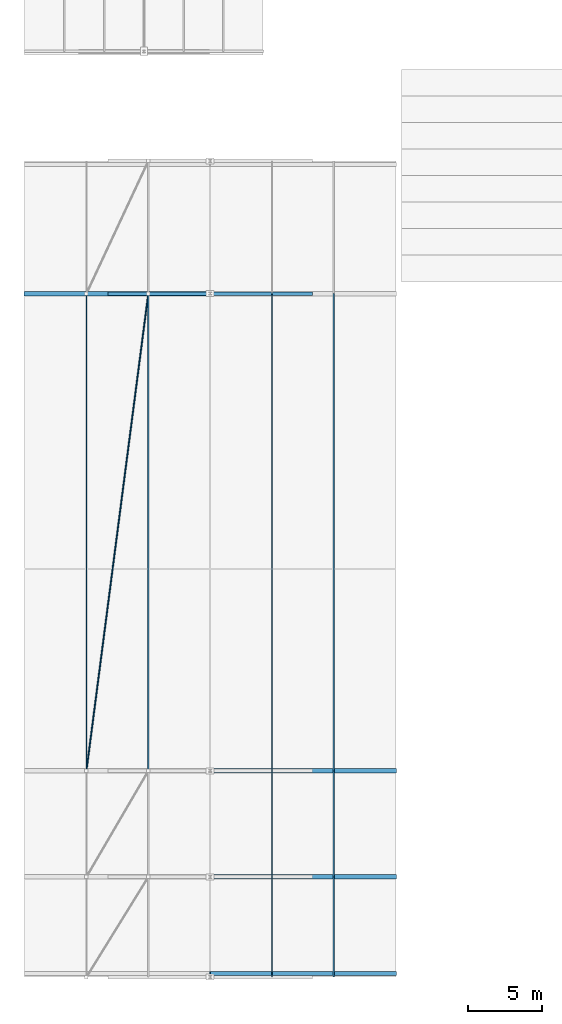
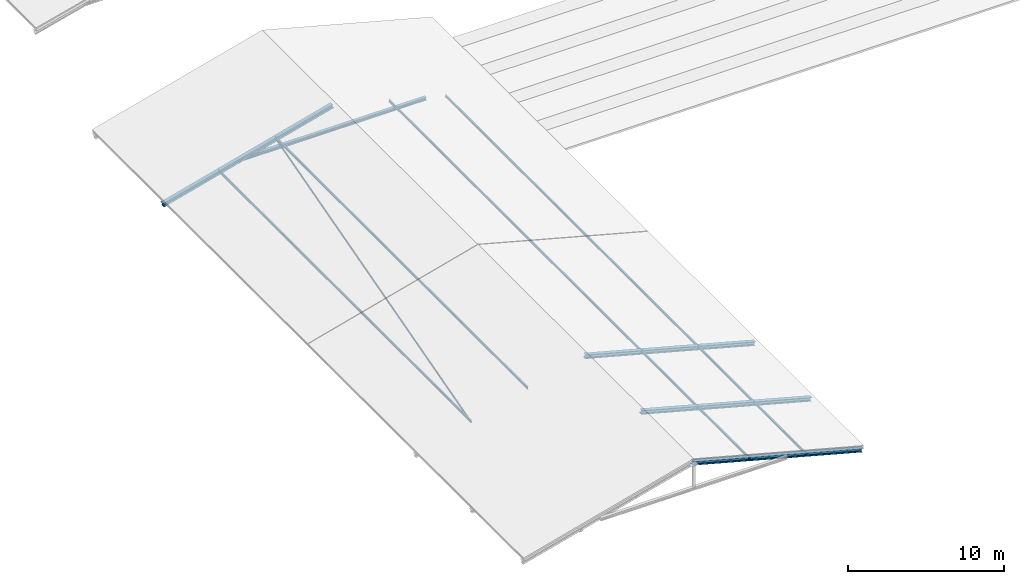
# One storey, part 3 of 31: 14 members.
"""IFC4 building model written with IfcOpenShell, lengths in metres."""

from ifc_helpers import new_model, si_unit, direction, frame, origin, origin_2d, place, context, subcontext, project, spatial, hollow_circle, i_section, extrude, material, material_profile, profile_set, type_object, element, save


model = new_model("IFC4")

# Units and contexts
model_context = context("Model", 3, precision=1e-05, world=origin(), true_north=direction((0.0, 1.0)))
body_context = subcontext(model_context, "Body", "Model", "MODEL_VIEW")
ifc_project = project(units=[si_unit("LENGTHUNIT", "METRE"), si_unit("AREAUNIT", "SQUARE_METRE"), si_unit("VOLUMEUNIT", "CUBIC_METRE"), si_unit("PLANEANGLEUNIT", "RADIAN"), si_unit("MASSUNIT", "GRAM", prefix="KILO")], contexts=[model_context])

# Site, building, storey
site_placement = place(None, origin())
site = spatial("IfcSite", under=ifc_project, at=site_placement, CompositionType="ELEMENT")
building_placement = place(site_placement, origin())
building = spatial("IfcBuilding", under=site, at=building_placement, Name="Clarverna Civic Hall", CompositionType="ELEMENT")
storey_placement = place(building_placement, frame((0.0, 0.0, 31.199951171875)))
storey = spatial("IfcBuildingStorey", under=building, at=storey_placement, Name="RF", CompositionType="ELEMENT", Elevation=31.199951171875)

# Members
ifc_material = material(Name="Steel S355", Category="steel")
ifc_material_profile_1 = material_profile(ifc_material, hollow_circle(Radius=0.05712890625, WallThickness=0.00634765625, at=origin_2d()), Name="CHS 114.3x6.3")
ifc_profile_set_1 = profile_set([ifc_material_profile_1], Name="Steel S355")
member_type_1 = type_object("IfcMemberType", Name="BRR-2", PredefinedType="BRACE", material=ifc_profile_set_1)
member_1_placement = place(storey_placement, frame((4.199951171875, 14.0, -13.564453125), z_axis=(0.128476760932, 0.991114976649, 0.03442128647), x_axis=(-0.991702647799, 0.128552939869, 0.0)))
element("IfcMember", 1, at=member_1_placement, inside=storey, type_object=member_type_1, Name="BRR-2-003", PredefinedType="BRACE", context=body_context, shape_type="SweptSolid", body=[
    extrude(hollow_circle(Radius=0.05712890625, WallThickness=0.00634765625, at=origin_2d()), origin(), (0.0, 0.0, 1.0), 32.6904296875),
])
ifc_material_profile_2 = material_profile(ifc_material, i_section(OverallWidth=0.239990234375, OverallDepth=0.22998046875, WebThickness=0.007568359375, FlangeThickness=0.011962890625, FilletRadius=0.02099609375, at=origin_2d()), Name="HEA 240")
ifc_profile_set_2 = profile_set([ifc_material_profile_2], Name="Steel S355")
member_type_2 = type_object("IfcMemberType", Name="CH-03", PredefinedType="CHORD", material=ifc_profile_set_2)
member_2_placement = place(storey_placement, frame((5.669921875, 46.39990234375, -13.170654296875), z_axis=(1.0, 0.0, 0.0), x_axis=(0.0, 1.0, 0.0)))
element("IfcMember", 2, at=member_2_placement, inside=storey, type_object=member_type_2, Name="CH-03-004", PredefinedType="CHORD", context=body_context, shape_type="SweptSolid", body=[
    extrude(i_section(OverallWidth=0.239990234375, OverallDepth=0.22998046875, WebThickness=0.007568359375, FlangeThickness=0.011962890625, FilletRadius=0.02099609375, at=origin_2d()), origin(), (0.0, 0.0, 1.0), 13.860107421875),
])
ifc_material_profile_3 = material_profile(ifc_material, i_section(OverallWidth=0.091064453125, OverallDepth=0.179931640625, WebThickness=0.00537109375, FlangeThickness=0.008056640625, FilletRadius=0.009033203125, at=origin_2d()), Name="IPE 180")
ifc_profile_set_3 = profile_set([ifc_material_profile_3], Name="Steel S355")
member_type_3 = type_object("IfcMemberType", Name="PU-RF2", PredefinedType="PURLIN", material=ifc_profile_set_3)
for number, where, z_axis, x_axis, name in (
    (3, (4.199951171875, 14.0, -13.504638671875), (0.0, 1.0, 0.0), (-1.0, 0.0, 0.0), "PU-RF2-003"),
    (4, (8.39990234375, 14.0, -12.379150390625), (0.0, 1.0, 0.0), (-1.0, 0.0, 0.0), "PU-RF2-007"),
):
    element("IfcMember", number, at=place(storey_placement, frame(where, z_axis=z_axis, x_axis=x_axis)), inside=storey, type_object=member_type_3, Name=name, PredefinedType="PURLIN", context=body_context, shape_type="SweptSolid", body=[
        extrude(i_section(OverallWidth=0.091064453125, OverallDepth=0.179931640625, WebThickness=0.00537109375, FlangeThickness=0.008056640625, FilletRadius=0.009033203125, at=origin_2d()), origin(), (0.0, 0.0, 1.0), 32.39990234375),
    ])
member_3_placement = place(storey_placement, frame((16.800048828125, 0.0, -12.379150390625), z_axis=(0.0, 1.0, 0.0), x_axis=(-1.0, 0.0, 0.0)))
element("IfcMember", 5, at=member_3_placement, inside=storey, type_object=member_type_3, Name="PU-RF2-009", PredefinedType="PURLIN", context=body_context, shape_type="SweptSolid", body=[
    extrude(i_section(OverallWidth=0.091064453125, OverallDepth=0.179931640625, WebThickness=0.00537109375, FlangeThickness=0.008056640625, FilletRadius=0.009033203125, at=origin_2d()), origin(), (0.0, 0.0, 1.0), 6.800048828125),
])
member_4_placement = place(storey_placement, frame((16.800048828125, 6.800048828125, -12.379150390625), z_axis=(0.0, 1.0, 0.0), x_axis=(-1.0, 0.0, 0.0)))
element("IfcMember", 6, at=member_4_placement, inside=storey, type_object=member_type_3, Name="PU-RF2-010", PredefinedType="PURLIN", context=body_context, shape_type="SweptSolid", body=[
    extrude(i_section(OverallWidth=0.091064453125, OverallDepth=0.179931640625, WebThickness=0.00537109375, FlangeThickness=0.008056640625, FilletRadius=0.009033203125, at=origin_2d()), origin(), (0.0, 0.0, 1.0), 7.199951171875),
])
member_5_placement = place(storey_placement, frame((16.800048828125, 14.0, -12.379150390625), z_axis=(0.0, 1.0, 0.0), x_axis=(-1.0, 0.0, 0.0)))
element("IfcMember", 7, at=member_5_placement, inside=storey, type_object=member_type_3, Name="PU-RF2-011", PredefinedType="PURLIN", context=body_context, shape_type="SweptSolid", body=[
    extrude(i_section(OverallWidth=0.091064453125, OverallDepth=0.179931640625, WebThickness=0.00537109375, FlangeThickness=0.008056640625, FilletRadius=0.009033203125, at=origin_2d()), origin(), (0.0, 0.0, 1.0), 32.39990234375),
])
member_6_placement = place(storey_placement, frame((21.0, 0.0, -13.504638671875), z_axis=(0.0, 1.0, 0.0), x_axis=(-1.0, 0.0, 0.0)))
element("IfcMember", 8, at=member_6_placement, inside=storey, type_object=member_type_3, Name="PU-RF2-013", PredefinedType="PURLIN", context=body_context, shape_type="SweptSolid", body=[
    extrude(i_section(OverallWidth=0.091064453125, OverallDepth=0.179931640625, WebThickness=0.00537109375, FlangeThickness=0.008056640625, FilletRadius=0.009033203125, at=origin_2d()), origin(), (0.0, 0.0, 1.0), 6.800048828125),
])
member_7_placement = place(storey_placement, frame((21.0, 6.800048828125, -13.504638671875), z_axis=(0.0, 1.0, 0.0), x_axis=(-1.0, 0.0, 0.0)))
element("IfcMember", 9, at=member_7_placement, inside=storey, type_object=member_type_3, Name="PU-RF2-014", PredefinedType="PURLIN", context=body_context, shape_type="SweptSolid", body=[
    extrude(i_section(OverallWidth=0.091064453125, OverallDepth=0.179931640625, WebThickness=0.00537109375, FlangeThickness=0.008056640625, FilletRadius=0.009033203125, at=origin_2d()), origin(), (0.0, 0.0, 1.0), 7.199951171875),
])
member_8_placement = place(storey_placement, frame((21.0, 14.0, -13.504638671875), z_axis=(0.0, 1.0, 0.0), x_axis=(-1.0, 0.0, 0.0)))
element("IfcMember", 10, at=member_8_placement, inside=storey, type_object=member_type_3, Name="PU-RF2-015", PredefinedType="PURLIN", context=body_context, shape_type="SweptSolid", body=[
    extrude(i_section(OverallWidth=0.091064453125, OverallDepth=0.179931640625, WebThickness=0.00537109375, FlangeThickness=0.008056640625, FilletRadius=0.009033203125, at=origin_2d()), origin(), (0.0, 0.0, 1.0), 32.39990234375),
])
ifc_material_profile_4 = material_profile(ifc_material, i_section(OverallWidth=0.300048828125, OverallDepth=0.2900390625, WebThickness=0.008544921875, FlangeThickness=0.013916015625, FilletRadius=0.027099609375, at=origin_2d()), Name="HEA 300")
ifc_profile_set_4 = profile_set([ifc_material_profile_4], Name="Steel S355")
member_type_4 = type_object("IfcMemberType", Name="RF-03", PredefinedType="RAFTER", material=ifc_profile_set_4)
for number, where, z_axis, x_axis, name in (
    (11, (25.199951171875, 0.239990234375, -14.68994140625), (-0.965923907255, 0.0, 0.25882620693), (0.0, -1.0, 0.0), "RF-03-002"),
    (12, (25.199951171875, 6.800048828125, -14.68994140625), (-0.965923907255, 0.0, 0.25882620693), (0.0, -1.0, 0.0), "RF-03-004"),
    (13, (25.199951171875, 14.0, -14.68994140625), (-0.965923907255, 0.0, 0.25882620693), (0.0, -1.0, 0.0), "RF-03-006"),
):
    element("IfcMember", number, at=place(storey_placement, frame(where, z_axis=z_axis, x_axis=x_axis)), inside=storey, type_object=member_type_4, Name=name, PredefinedType="RAFTER", context=body_context, shape_type="SweptSolid", body=[
        extrude(i_section(OverallWidth=0.300048828125, OverallDepth=0.2900390625, WebThickness=0.008544921875, FlangeThickness=0.013916015625, FilletRadius=0.027099609375, at=origin_2d()), origin(), (0.0, 0.0, 1.0), 13.04443359375),
    ])
member_9_placement = place(storey_placement, frame((0.0, 46.39990234375, -14.68994140625), z_axis=(0.965925161037, 0.0, 0.258821527843), x_axis=(0.0, 1.0, 0.0)))
element("IfcMember", 14, at=member_9_placement, inside=storey, type_object=member_type_4, Name="RF-03-007", PredefinedType="RAFTER", context=body_context, shape_type="SweptSolid", body=[
    extrude(i_section(OverallWidth=0.300048828125, OverallDepth=0.2900390625, WebThickness=0.008544921875, FlangeThickness=0.013916015625, FilletRadius=0.027099609375, at=origin_2d()), origin(), (0.0, 0.0, 1.0), 13.044677734375),
])

save(model, "model.ifc")
